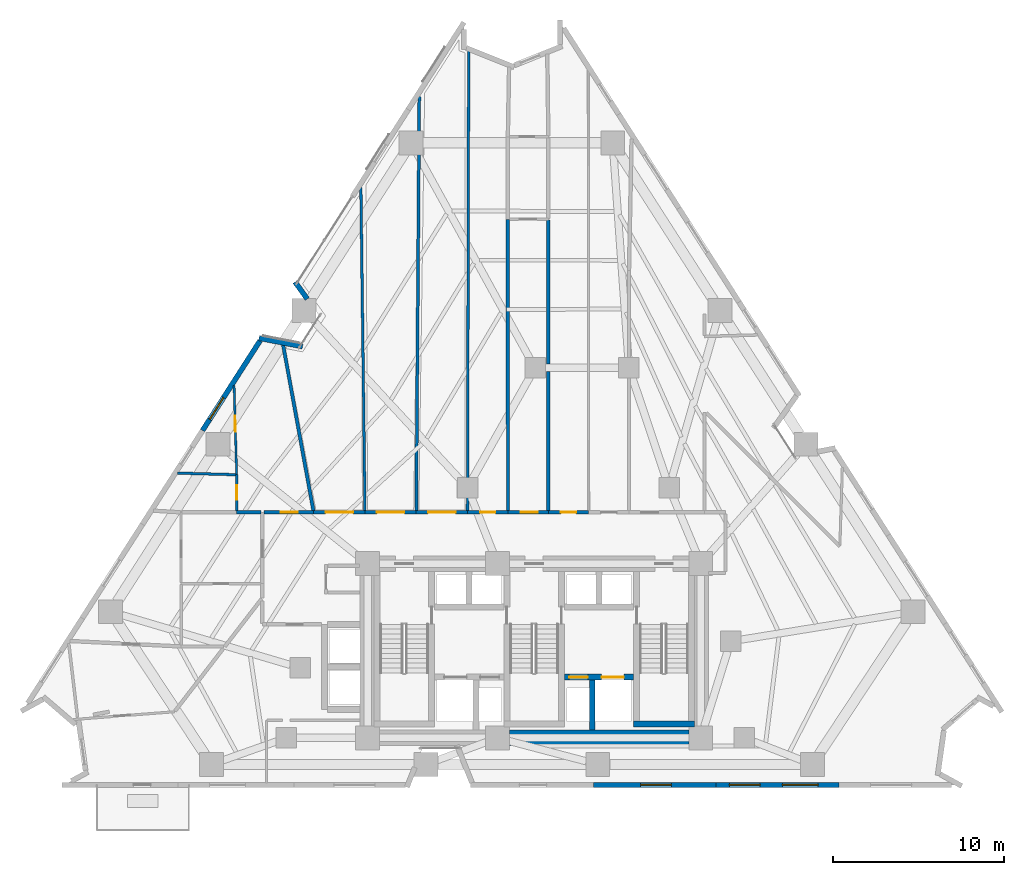
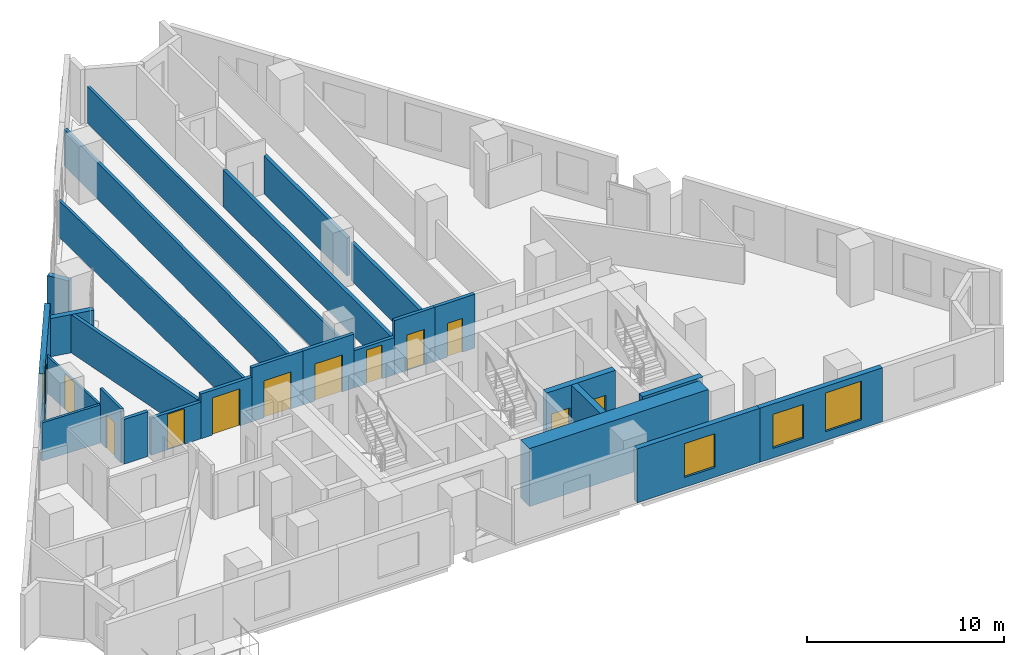
# One storey, part 9 of 15: 27 walls, 11 doors, 4 windows, 15 openings.
"""IFC4 building model written with IfcOpenShell, lengths in metres."""

from ifc_helpers import new_model, si_unit, direction, frame, frame_2d, origin, place, context, subcontext, project, spatial, rectangle, extrude, material, layer, layer_set, type_object, element, fill, save


model = new_model("IFC4")

# Units and contexts
model_context = context("Model", 3, precision=1e-05, world=origin(), true_north=direction((0.0, 1.0)))
body_context = subcontext(model_context, "Body", "Model", "MODEL_VIEW")
ifc_project = project(units=[si_unit("LENGTHUNIT", "METRE"), si_unit("AREAUNIT", "SQUARE_METRE"), si_unit("VOLUMEUNIT", "CUBIC_METRE"), si_unit("PLANEANGLEUNIT", "RADIAN"), si_unit("MASSUNIT", "GRAM", prefix="KILO")], contexts=[model_context])

# Site, building, storey
site_placement = place(None, origin())
site = spatial("IfcSite", under=ifc_project, at=site_placement, CompositionType="ELEMENT")
building_placement = place(site_placement, origin())
building = spatial("IfcBuilding", under=site, at=building_placement, Name="Almagre Mirador Tower", CompositionType="ELEMENT")
storey_placement = place(building_placement, frame((0.0, 0.0, 39.0)))
storey = spatial("IfcBuildingStorey", under=building, at=storey_placement, Name="L08", CompositionType="ELEMENT", Elevation=39.0)

# Walls
ifc_material_1 = material(Name="Precast concrete C50/60", Category="concrete")
ifc_layer_1 = layer(ifc_material_1, 0.300048828125)
ifc_layer_set_1 = layer_set([ifc_layer_1], Name="Precast concrete C50/60")
wall_type_1 = type_object("IfcWallType", Name="WAL-EXT-300", PredefinedType="SOLIDWALL", material=ifc_layer_set_1)
wall_1_placement = place(storey_placement, frame((21.20068359375, 27.946533203125, 0.0), z_axis=(0.0, 0.0, 1.0), x_axis=(0.981746971615, -0.190191702567, 0.0)))
element("IfcWall", 1, at=wall_1_placement, inside=storey, type_object=wall_type_1, Name="L08 expressed almagre precast frame wall 01", PredefinedType="SOLIDWALL", context=body_context, shape_type="SweptSolid", body=[
    extrude(rectangle(XDim=2.593017578125, YDim=0.300048828125, at=frame_2d((1.29638671875, 0.0))), origin(), (0.0, 0.0, 1.0), 2.375),
])
wall_2_placement = place(storey_placement, frame((24.022216796875, 30.235107421875, 0.0), z_axis=(0.0, 0.0, 1.0), x_axis=(-0.583004903736, 0.812468634607, 0.0)))
element("IfcWall", 2, at=wall_2_placement, inside=storey, type_object=wall_type_1, Name="L08 expressed almagre precast frame wall 02", PredefinedType="SOLIDWALL", context=body_context, shape_type="SweptSolid", body=[
    extrude(rectangle(XDim=1.227783203125, YDim=0.300048828125, at=frame_2d((0.61376953125, 0.0))), origin(), (0.0, 0.0, 1.0), 2.375),
])

# Wall, openings, windows
wall_3_placement = place(storey_placement, frame((55.14697265625, 1.800048828125, 0.0), z_axis=(0.0, 0.0, 1.0), x_axis=(-1.0, 0.0, 0.0)))
wall_3 = element("IfcWall", 3, at=wall_3_placement, inside=storey, type_object=wall_type_1, Name="L08 expressed almagre precast frame wall 23", PredefinedType="SOLIDWALL", context=body_context, shape_type="SweptSolid", body=[
    extrude(rectangle(XDim=7.19287109375, YDim=0.300048828125, at=frame_2d((3.596435546875, 0.0))), origin(), (0.0, 0.0, 1.0), 3.35009765625),
])
opening_1_placement = place(wall_3_placement, frame((4.625, 0.0, 0.60009765625)))
opening_1 = element("IfcOpeningElement", 4, at=opening_1_placement, cuts=wall_3, Name="Opening WN-01", PredefinedType="OPENING", context=body_context, shape_type="SweptSolid", body=[
    extrude(rectangle(XDim=1.800048828125, YDim=2.10009765625, at=frame_2d((0.89990234375, 1.050048828125))), frame((0.0, 0.159902, 0.0), z_axis=(0.0, -1.0, 0.0), x_axis=(1.0, 0.0, 0.0)), (0.0, 0.0, 1.0), 0.320049),
])
opening_2_placement = place(wall_3_placement, frame((1.22509765625, 0.0, 0.550048828125)))
opening_2 = element("IfcOpeningElement", 5, at=opening_2_placement, cuts=wall_3, Name="Opening WN-05", PredefinedType="OPENING", context=body_context, shape_type="SweptSolid", body=[
    extrude(rectangle(XDim=2.10009765625, YDim=2.39990234375, at=frame_2d((1.050048828125, 1.199951171875))), frame((0.0, 0.159902, 0.0), z_axis=(0.0, -1.0, 0.0), x_axis=(1.0, 0.0, 0.0)), (0.0, 0.0, 1.0), 0.320049),
])
ifc_material_2 = material(Name="Dark solar-control laminated hurricane glass", Category="glass")
window_type_1 = type_object("IfcWindowType", Name="WIN-1800X2100", PartitioningType="DOUBLE_PANEL_VERTICAL", PredefinedType="WINDOW", material=ifc_material_2)
window_1_placement = place(opening_1_placement, origin())
window_1 = element("IfcWindow", 6, at=window_1_placement, inside=storey, type_object=window_type_1, Name="L08 recessed hurricane window L08-RST-C", OverallHeight=2.10009765625, OverallWidth=1.800048828125, PartitioningType="SINGLE_PANEL", PredefinedType="WINDOW", context=body_context, shape_type="SweptSolid", body=[
    extrude(rectangle(XDim=1.800048828125, YDim=2.10009765625, at=frame_2d((0.89990234375, 1.050048828125))), frame((0.0, 0.030029296875, 0.0), z_axis=(0.0, -1.0, 0.0), x_axis=(1.0, 0.0, 0.0)), (0.0, 0.0, 1.0), 0.06005859375),
])
fill(opening_1, window_1)
ifc_material_3 = material(Name="Dark solar-control laminated hurricane glass", Category="glass")
window_type_2 = type_object("IfcWindowType", Name="WIN-2100X2400", PartitioningType="DOUBLE_PANEL_VERTICAL", PredefinedType="WINDOW", material=ifc_material_3)
window_2_placement = place(opening_2_placement, origin())
window_2 = element("IfcWindow", 7, at=window_2_placement, inside=storey, type_object=window_type_2, Name="L08 recessed hurricane window L08-RST-D", OverallHeight=2.39990234375, OverallWidth=2.10009765625, PartitioningType="SINGLE_PANEL", PredefinedType="WINDOW", context=body_context, shape_type="SweptSolid", body=[
    extrude(rectangle(XDim=2.10009765625, YDim=2.39990234375, at=frame_2d((1.050048828125, 1.199951171875))), frame((0.0, 0.030029296875, 0.0), z_axis=(0.0, -1.0, 0.0), x_axis=(1.0, 0.0, 0.0)), (0.0, 0.0, 1.0), 0.06005859375),
])
fill(opening_2, window_2)

# Wall, opening, window
wall_4_placement = place(storey_placement, frame((47.9541015625, 1.800048828125, 0.0), z_axis=(0.0, 0.0, 1.0), x_axis=(-1.0, 0.0, 0.0)))
wall_4 = element("IfcWall", 8, at=wall_4_placement, inside=storey, type_object=wall_type_1, Name="L08 expressed almagre precast frame wall 24", PredefinedType="SOLIDWALL", context=body_context, shape_type="SweptSolid", body=[
    extrude(rectangle(XDim=7.193115234375, YDim=0.300048828125, at=frame_2d((3.5966796875, 0.0))), origin(), (0.0, 0.0, 1.0), 3.35009765625),
])
opening_3_placement = place(wall_4_placement, frame((2.625, 0.0, 0.60009765625)))
opening_3 = element("IfcOpeningElement", 9, at=opening_3_placement, cuts=wall_4, Name="Opening WN-01", PredefinedType="OPENING", context=body_context, shape_type="SweptSolid", body=[
    extrude(rectangle(XDim=1.800048828125, YDim=2.10009765625, at=frame_2d((0.89990234375, 1.050048828125))), frame((0.0, 0.159902, 0.0), z_axis=(0.0, -1.0, 0.0), x_axis=(1.0, 0.0, 0.0)), (0.0, 0.0, 1.0), 0.320049),
])
window_3_placement = place(opening_3_placement, origin())
window_3 = element("IfcWindow", 10, at=window_3_placement, inside=storey, type_object=window_type_1, Name="L08 recessed hurricane window L08-RST-C", OverallHeight=2.10009765625, OverallWidth=1.800048828125, PartitioningType="SINGLE_PANEL", PredefinedType="WINDOW", context=body_context, shape_type="SweptSolid", body=[
    extrude(rectangle(XDim=1.800048828125, YDim=2.10009765625, at=frame_2d((0.89990234375, 1.050048828125))), frame((0.0, 0.030029296875, 0.0), z_axis=(0.0, -1.0, 0.0), x_axis=(1.0, 0.0, 0.0)), (0.0, 0.0, 1.0), 0.06005859375),
])
fill(opening_3, window_3)

wall_5_placement = place(storey_placement, frame((17.892578125, 22.54345703125, 0.0), z_axis=(0.0, 0.0, 1.0), x_axis=(0.539539053693, 0.841960574813, 0.0)))
wall_5 = element("IfcWall", 11, at=wall_5_placement, inside=storey, type_object=wall_type_1, Name="L08 expressed almagre precast frame wall 38", PredefinedType="SOLIDWALL", context=body_context, shape_type="SweptSolid", body=[
    extrude(rectangle(XDim=6.250732421875, YDim=0.300048828125, at=frame_2d((3.12548828125, 0.0))), origin(), (0.0, 0.0, 1.0), 3.35009765625),
])
opening_4_placement = place(wall_5_placement, frame((0.77490234375, 0.0, 0.60009765625)))
opening_4 = element("IfcOpeningElement", 12, at=opening_4_placement, cuts=wall_5, Name="Opening WN-03", PredefinedType="OPENING", context=body_context, shape_type="SweptSolid", body=[
    extrude(rectangle(XDim=1.5, YDim=2.10009765625, at=frame_2d((0.75, 1.050048828125))), frame((0.0, 0.159902, 0.0), z_axis=(0.0, -1.0, 0.0), x_axis=(1.0, 0.0, 0.0)), (0.0, 0.0, 1.0), 0.320049),
])
ifc_material_4 = material(Name="Dark solar-control laminated hurricane glass", Category="glass")
window_type_3 = type_object("IfcWindowType", Name="WIN-1500X2100", PartitioningType="DOUBLE_PANEL_VERTICAL", PredefinedType="WINDOW", material=ifc_material_4)
window_4_placement = place(opening_4_placement, origin())
window_4 = element("IfcWindow", 13, at=window_4_placement, inside=storey, type_object=window_type_3, Name="L08 recessed hurricane window L08-UG-KT", OverallHeight=2.10009765625, OverallWidth=1.5, PartitioningType="SINGLE_PANEL", PredefinedType="WINDOW", context=body_context, shape_type="SweptSolid", body=[
    extrude(rectangle(XDim=1.5, YDim=2.10009765625, at=frame_2d((0.75, 1.050048828125))), frame((0.0, 0.030029296875, 0.0), z_axis=(0.0, -1.0, 0.0), x_axis=(1.0, 0.0, 0.0)), (0.0, 0.0, 1.0), 0.06005859375),
])
fill(opening_4, window_4)

# Wall, opening, door
ifc_material_5 = material(Name="Gypsum acoustic stud partition", Category="other")
ifc_layer_2 = layer(ifc_material_5, 0.125)
ifc_layer_set_2 = layer_set([ifc_layer_2], Name="Gypsum acoustic stud partition")
wall_type_2 = type_object("IfcWallType", Name="WAL-PRT-125-UTL", PredefinedType="PARTITIONING", material=ifc_layer_set_2)
wall_6_placement = place(storey_placement, frame((19.740966796875, 25.18603515625, 0.0), z_axis=(0.0, 0.0, 1.0), x_axis=(0.028430709053, -0.999595765689, 0.0)))
wall_6 = element("IfcWall", 14, at=wall_6_placement, inside=storey, type_object=wall_type_2, Name="L08 interior partition 042", PredefinedType="PARTITIONING", context=body_context, shape_type="SweptSolid", body=[
    extrude(rectangle(XDim=5.23828125, YDim=0.125, at=frame_2d((2.619140625, 0.0))), origin(), (0.0, 0.0, 1.0), 2.279052734375),
])
opening_5_placement = place(wall_6_placement, frame((1.78369140625, 0.0, 0.0)))
opening_5 = element("IfcOpeningElement", 15, at=opening_5_placement, cuts=wall_6, Name="Opening UD-01", PredefinedType="OPENING", context=body_context, shape_type="SweptSolid", body=[
    extrude(rectangle(XDim=0.949951171875, YDim=2.199951171875, at=frame_2d((0.47509765625, 1.10009765625))), frame((0.0, 0.0725, 0.0), z_axis=(0.0, -1.0, 0.0), x_axis=(1.0, 0.0, 0.0)), (0.0, 0.0, 1.0), 0.145),
])
ifc_material_6 = material(Name="Solid American walnut timber", Category="wood")
door_type_1 = type_object("IfcDoorType", Name="DOR-UNR-950X2200", OperationType="NOTDEFINED", PredefinedType="DOOR", material=ifc_material_6)
door_1_placement = place(opening_5_placement, origin())
door_1 = element("IfcDoor", 16, at=door_1_placement, inside=storey, type_object=door_type_1, Name="DR-0256 L08 interior door L08-UG-ST to L08-UG-KT", OperationType="SINGLE_SWING_LEFT", OverallHeight=2.199951171875, OverallWidth=0.949951171875, PredefinedType="DOOR", context=body_context, shape_type="SweptSolid", body=[
    extrude(rectangle(XDim=0.949951171875, YDim=2.199951171875, at=frame_2d((0.47509765625, 1.10009765625))), frame((0.0, 0.02490234375, 0.0), z_axis=(0.0, -1.0, 0.0), x_axis=(1.0, 0.0, 0.0)), (0.0, 0.0, 1.0), 0.050048828125),
])
fill(opening_5, door_1)

ifc_material_7 = material(Name="Gypsum acoustic stud partition", Category="other")
ifc_layer_3 = layer(ifc_material_7, 0.14990234375)
ifc_layer_set_3 = layer_set([ifc_layer_3], Name="Gypsum acoustic stud partition")
wall_type_3 = type_object("IfcWallType", Name="WAL-PRT-150-STD", PredefinedType="PARTITIONING", material=ifc_layer_set_3)
wall_7_placement = place(storey_placement, frame((19.889892578125, 19.949951171875, 0.0), z_axis=(0.0, 0.0, 1.0), x_axis=(0.0, -1.0, 0.0)))
wall_7 = element("IfcWall", 17, at=wall_7_placement, inside=storey, type_object=wall_type_3, Name="L08 interior partition 043", PredefinedType="PARTITIONING", context=body_context, shape_type="SweptSolid", body=[
    extrude(rectangle(XDim=2.114990234375, YDim=0.14990234375, at=frame_2d((1.0576171875, 0.0))), origin(), (0.0, 0.0, 1.0), 3.35009765625),
])
opening_6_placement = place(wall_7_placement, frame((0.615478515625, 0.0, 0.0)))
opening_6 = element("IfcOpeningElement", 18, at=opening_6_placement, cuts=wall_7, Name="Opening UD-04", PredefinedType="OPENING", context=body_context, shape_type="SweptSolid", body=[
    extrude(rectangle(XDim=0.85009765625, YDim=2.10009765625, at=frame_2d((0.425048828125, 1.050048828125))), frame((0.0, 0.084951, 0.0), z_axis=(0.0, -1.0, 0.0), x_axis=(1.0, 0.0, 0.0)), (0.0, 0.0, 1.0), 0.169902),
])
ifc_material_8 = material(Name="Moisture-resistant oak timber", Category="wood")
door_type_2 = type_object("IfcDoorType", Name="DOR-UNR-850X2100", OperationType="NOTDEFINED", PredefinedType="DOOR", material=ifc_material_8)
door_2_placement = place(opening_6_placement, origin())
door_2 = element("IfcDoor", 19, at=door_2_placement, inside=storey, type_object=door_type_2, Name="DR-0257 L08 interior door L08-UG-ST to L08-UG-BT", OperationType="SINGLE_SWING_RIGHT", OverallHeight=2.10009765625, OverallWidth=0.85009765625, PredefinedType="DOOR", context=body_context, shape_type="SweptSolid", body=[
    extrude(rectangle(XDim=0.85009765625, YDim=2.10009765625, at=frame_2d((0.425048828125, 1.050048828125))), frame((0.0, 0.02490234375, 0.0), z_axis=(0.0, -1.0, 0.0), x_axis=(1.0, 0.0, 0.0)), (0.0, 0.0, 1.0), 0.050048828125),
])
fill(opening_6, door_2)

# Walls
wall_8_placement = place(storey_placement, frame((16.43310546875, 20.0458984375, 0.0), z_axis=(0.0, 0.0, 1.0), x_axis=(0.999614255068, -0.027773027638, 0.0)))
element("IfcWall", 20, at=wall_8_placement, inside=storey, type_object=wall_type_3, Name="L08 interior partition 045", PredefinedType="PARTITIONING", context=body_context, shape_type="SweptSolid", body=[
    extrude(rectangle(XDim=3.41064453125, YDim=0.14990234375, at=frame_2d((1.705322265625, 0.0))), origin(), (0.0, 0.0, 1.0), 2.3701171875),
])
wall_9_placement = place(storey_placement, frame((27.399169921875, 17.8349609375, 0.0), z_axis=(0.0, 0.0, 1.0), x_axis=(-0.012641377926, 0.99992009459, 0.0)))
element("IfcWall", 21, at=wall_9_placement, inside=storey, type_object=wall_type_3, Name="L08 interior partition 046", PredefinedType="PARTITIONING", context=body_context, shape_type="SweptSolid", body=[
    extrude(rectangle(XDim=18.926513671875, YDim=0.14990234375, at=frame_2d((9.46337890625, 0.0))), origin(), (0.0, 0.0, 1.0), 2.279052734375),
])
wall_10_placement = place(storey_placement, frame((33.400146484375, 17.8349609375, 0.0), z_axis=(0.0, 0.0, 1.0), x_axis=(0.002519340237, 0.999996826457, 0.0)))
element("IfcWall", 22, at=wall_10_placement, inside=storey, type_object=wall_type_3, Name="L08 interior partition 052", PredefinedType="PARTITIONING", context=body_context, shape_type="SweptSolid", body=[
    extrude(rectangle(XDim=26.93994140625, YDim=0.14990234375, at=frame_2d((13.469970703125, 0.0))), origin(), (0.0, 0.0, 1.0), 2.279052734375),
])
ifc_material_9 = material(Name="Gypsum acoustic stud partition", Category="other")
ifc_layer_4 = layer(ifc_material_9, 0.175048828125)
ifc_layer_set_4 = layer_set([ifc_layer_4], Name="Gypsum acoustic stud partition")
wall_type_4 = type_object("IfcWallType", Name="WAL-PRT-175-AC", PredefinedType="PARTITIONING", material=ifc_layer_set_4)
wall_11_placement = place(storey_placement, frame((30.400634765625, 17.8349609375, 0.0), z_axis=(0.0, 0.0, 1.0), x_axis=(0.007313118493, 0.999973258791, 0.0)))
element("IfcWall", 23, at=wall_11_placement, inside=storey, type_object=wall_type_4, Name="L08 interior partition 051", PredefinedType="PARTITIONING", context=body_context, shape_type="SweptSolid", body=[
    extrude(rectangle(XDim=24.23681640625, YDim=0.175048828125, at=frame_2d((12.118408203125, 0.0))), origin(), (0.0, 0.0, 1.0), 2.279052734375),
])

# Wall, opening, door
ifc_material_10 = material(Name="Gypsum acoustic stud partition", Category="other")
ifc_layer_5 = layer(ifc_material_10, 0.199951171875)
ifc_layer_set_5 = layer_set([ifc_layer_5], Name="Gypsum acoustic stud partition")
wall_type_5 = type_object("IfcWallType", Name="WAL-PRT-200-EI60", PredefinedType="PARTITIONING", material=ifc_layer_set_5)
wall_12_placement = place(storey_placement, frame((24.39990234375, 17.75, 0.0), z_axis=(0.0, 0.0, 1.0), x_axis=(-1.0, 0.0, 0.0)))
wall_12 = element("IfcWall", 24, at=wall_12_placement, inside=storey, type_object=wall_type_5, Name="L08 interior partition 011", PredefinedType="PARTITIONING", context=body_context, shape_type="SweptSolid", body=[
    extrude(rectangle(XDim=2.914794921875, YDim=0.199951171875, at=frame_2d((1.45751953125, 0.0))), origin(), (0.0, 0.0, 1.0), 2.279052734375),
])
opening_7_placement = place(wall_12_placement, frame((0.942626953125, 0.0, 0.0)))
opening_7 = element("IfcOpeningElement", 25, at=opening_7_placement, cuts=wall_12, Name="Opening ID-01", PredefinedType="OPENING", context=body_context, shape_type="SweptSolid", body=[
    extrude(rectangle(XDim=1.0, YDim=2.199951171875, at=frame_2d((0.5, 1.10009765625))), frame((0.0, 0.110098, 0.0), z_axis=(0.0, -1.0, 0.0), x_axis=(1.0, 0.0, 0.0)), (0.0, 0.0, 1.0), 0.219951),
])
ifc_material_11 = material(Name="Fire-rated walnut timber", Category="wood")
door_type_3 = type_object("IfcDoorType", Name="DOR-FD60-1000X2200", OperationType="NOTDEFINED", PredefinedType="DOOR", material=ifc_material_11)
door_3_placement = place(opening_7_placement, origin())
door_3 = element("IfcDoor", 26, at=door_3_placement, inside=storey, type_object=door_type_3, Name="DR-0255 L08 interior door L08-RCOR to L08-UG-ST", OperationType="SINGLE_SWING_RIGHT", OverallHeight=2.199951171875, OverallWidth=1.0, PredefinedType="DOOR", context=body_context, shape_type="SweptSolid", body=[
    extrude(rectangle(XDim=1.0, YDim=2.199951171875, at=frame_2d((0.5, 1.10009765625))), frame((0.0, 0.02490234375, 0.0), z_axis=(0.0, -1.0, 0.0), x_axis=(1.0, 0.0, 0.0)), (0.0, 0.0, 1.0), 0.050048828125),
])
fill(opening_7, door_3)

wall_13_placement = place(storey_placement, frame((27.39990234375, 17.75, 0.0), z_axis=(0.0, 0.0, 1.0), x_axis=(-1.0, 0.0, 0.0)))
wall_13 = element("IfcWall", 27, at=wall_13_placement, inside=storey, type_object=wall_type_5, Name="L08 interior partition 012", PredefinedType="PARTITIONING", context=body_context, shape_type="SweptSolid", body=[
    extrude(rectangle(XDim=3.0, YDim=0.199951171875, at=frame_2d((1.5, 0.0))), origin(), (0.0, 0.0, 1.0), 2.77099609375),
])
opening_8_placement = place(wall_13_placement, frame((0.699951171875, 0.0, 0.0)))
opening_8 = element("IfcOpeningElement", 28, at=opening_8_placement, cuts=wall_13, Name="Opening ID-05", PredefinedType="OPENING", context=body_context, shape_type="SweptSolid", body=[
    extrude(rectangle(XDim=1.60009765625, YDim=2.300048828125, at=frame_2d((0.800048828125, 1.14990234375))), frame((0.0, 0.110098, 0.0), z_axis=(0.0, -1.0, 0.0), x_axis=(1.0, 0.0, 0.0)), (0.0, 0.0, 1.0), 0.219951),
])
ifc_material_12 = material(Name="Fire-rated acoustic timber", Category="wood")
door_type_4 = type_object("IfcDoorType", Name="DOR-FD60-1600X2300", OperationType="DOUBLE_DOOR_SINGLE_SWING", PredefinedType="DOOR", material=ifc_material_12)
door_4_placement = place(opening_8_placement, origin())
door_4 = element("IfcDoor", 29, at=door_4_placement, inside=storey, type_object=door_type_4, Name="DR-0245 L08 interior door L08-RCOR to L08-RST-H", OperationType="DOUBLE_DOOR_SINGLE_SWING", OverallHeight=2.300048828125, OverallWidth=1.60009765625, PredefinedType="DOOR", context=body_context, shape_type="SweptSolid", body=[
    extrude(rectangle(XDim=1.60009765625, YDim=2.300048828125, at=frame_2d((0.800048828125, 1.14990234375))), frame((0.0, 0.02490234375, 0.0), z_axis=(0.0, -1.0, 0.0), x_axis=(1.0, 0.0, 0.0)), (0.0, 0.0, 1.0), 0.050048828125),
])
fill(opening_8, door_4)

wall_14_placement = place(storey_placement, frame((30.39990234375, 17.75, 0.0), z_axis=(0.0, 0.0, 1.0), x_axis=(-1.0, 0.0, 0.0)))
wall_14 = element("IfcWall", 30, at=wall_14_placement, inside=storey, type_object=wall_type_5, Name="L08 interior partition 013", PredefinedType="PARTITIONING", context=body_context, shape_type="SweptSolid", body=[
    extrude(rectangle(XDim=3.0, YDim=0.199951171875, at=frame_2d((1.5, 0.0))), origin(), (0.0, 0.0, 1.0), 3.35009765625),
])
opening_9_placement = place(wall_14_placement, frame((0.699951171875, 0.0, 0.0)))
opening_9 = element("IfcOpeningElement", 31, at=opening_9_placement, cuts=wall_14, Name="Opening ID-05", PredefinedType="OPENING", context=body_context, shape_type="SweptSolid", body=[
    extrude(rectangle(XDim=1.60009765625, YDim=2.300048828125, at=frame_2d((0.800048828125, 1.14990234375))), frame((0.0, 0.110098, 0.0), z_axis=(0.0, -1.0, 0.0), x_axis=(1.0, 0.0, 0.0)), (0.0, 0.0, 1.0), 0.219951),
])
door_5_placement = place(opening_9_placement, origin())
door_5 = element("IfcDoor", 32, at=door_5_placement, inside=storey, type_object=door_type_4, Name="DR-0246 L08 interior door L08-RCOR to L08-RST-K", OperationType="DOUBLE_DOOR_SINGLE_SWING", OverallHeight=2.300048828125, OverallWidth=1.60009765625, PredefinedType="DOOR", context=body_context, shape_type="SweptSolid", body=[
    extrude(rectangle(XDim=1.60009765625, YDim=2.300048828125, at=frame_2d((0.800048828125, 1.14990234375))), frame((0.0, 0.02490234375, 0.0), z_axis=(0.0, -1.0, 0.0), x_axis=(1.0, 0.0, 0.0)), (0.0, 0.0, 1.0), 0.050048828125),
])
fill(opening_9, door_5)

wall_15_placement = place(storey_placement, frame((33.39990234375, 17.75, 0.0), z_axis=(0.0, 0.0, 1.0), x_axis=(-1.0, 0.0, 0.0)))
wall_15 = element("IfcWall", 33, at=wall_15_placement, inside=storey, type_object=wall_type_5, Name="L08 interior partition 014", PredefinedType="PARTITIONING", context=body_context, shape_type="SweptSolid", body=[
    extrude(rectangle(XDim=3.0, YDim=0.199951171875, at=frame_2d((1.5, 0.0))), origin(), (0.0, 0.0, 1.0), 3.35009765625),
])
opening_10_placement = place(wall_15_placement, frame((0.699951171875, 0.0, 0.0)))
opening_10 = element("IfcOpeningElement", 34, at=opening_10_placement, cuts=wall_15, Name="Opening ID-05", PredefinedType="OPENING", context=body_context, shape_type="SweptSolid", body=[
    extrude(rectangle(XDim=1.60009765625, YDim=2.300048828125, at=frame_2d((0.800048828125, 1.14990234375))), frame((0.0, 0.110098, 0.0), z_axis=(0.0, -1.0, 0.0), x_axis=(1.0, 0.0, 0.0)), (0.0, 0.0, 1.0), 0.219951),
])
door_6_placement = place(opening_10_placement, origin())
door_6 = element("IfcDoor", 35, at=door_6_placement, inside=storey, type_object=door_type_4, Name="DR-0247 L08 interior door L08-RCOR to L08-RST-L", OperationType="DOUBLE_DOOR_SINGLE_SWING", OverallHeight=2.300048828125, OverallWidth=1.60009765625, PredefinedType="DOOR", context=body_context, shape_type="SweptSolid", body=[
    extrude(rectangle(XDim=1.60009765625, YDim=2.300048828125, at=frame_2d((0.800048828125, 1.14990234375))), frame((0.0, 0.02490234375, 0.0), z_axis=(0.0, -1.0, 0.0), x_axis=(1.0, 0.0, 0.0)), (0.0, 0.0, 1.0), 0.050048828125),
])
fill(opening_10, door_6)

wall_16_placement = place(storey_placement, frame((35.77001953125, 17.75, 0.0), z_axis=(0.0, 0.0, 1.0), x_axis=(-1.0, 0.0, 0.0)))
wall_16 = element("IfcWall", 36, at=wall_16_placement, inside=storey, type_object=wall_type_5, Name="L08 interior partition 015", PredefinedType="PARTITIONING", context=body_context, shape_type="SweptSolid", body=[
    extrude(rectangle(XDim=2.3701171875, YDim=0.199951171875, at=frame_2d((1.18505859375, 0.0))), origin(), (0.0, 0.0, 1.0), 2.30908203125),
])
opening_11_placement = place(wall_16_placement, frame((0.735107421875, 0.0, 0.0)))
opening_11 = element("IfcOpeningElement", 37, at=opening_11_placement, cuts=wall_16, Name="Opening ID-03", PredefinedType="OPENING", context=body_context, shape_type="SweptSolid", body=[
    extrude(rectangle(XDim=0.89990234375, YDim=2.10009765625, at=frame_2d((0.449951171875, 1.050048828125))), frame((0.0, 0.110098, 0.0), z_axis=(0.0, -1.0, 0.0), x_axis=(1.0, 0.0, 0.0)), (0.0, 0.0, 1.0), 0.219951),
])
ifc_material_13 = material(Name="Fire-rated hollow steel", Category="steel")
door_type_5 = type_object("IfcDoorType", Name="DOR-FD60-900X2100", OperationType="NOTDEFINED", PredefinedType="DOOR", material=ifc_material_13)
door_7_placement = place(opening_11_placement, origin())
door_7 = element("IfcDoor", 38, at=door_7_placement, inside=storey, type_object=door_type_5, Name="DR-0248 L08 interior door L08-RCOR to L08-RST-M", OperationType="SINGLE_SWING_RIGHT", OverallHeight=2.10009765625, OverallWidth=0.89990234375, PredefinedType="DOOR", context=body_context, shape_type="SweptSolid", body=[
    extrude(rectangle(XDim=0.89990234375, YDim=2.10009765625, at=frame_2d((0.449951171875, 1.050048828125))), frame((0.0, 0.02490234375, 0.0), z_axis=(0.0, -1.0, 0.0), x_axis=(1.0, 0.0, 0.0)), (0.0, 0.0, 1.0), 0.050048828125),
])
fill(opening_11, door_7)

wall_17_placement = place(storey_placement, frame((38.1298828125, 17.75, 0.0), z_axis=(0.0, 0.0, 1.0), x_axis=(-1.0, 0.0, 0.0)))
wall_17 = element("IfcWall", 39, at=wall_17_placement, inside=storey, type_object=wall_type_5, Name="L08 interior partition 016", PredefinedType="PARTITIONING", context=body_context, shape_type="SweptSolid", body=[
    extrude(rectangle(XDim=2.35986328125, YDim=0.199951171875, at=frame_2d((1.179931640625, 0.0))), origin(), (0.0, 0.0, 1.0), 3.35009765625),
])
opening_12_placement = place(wall_17_placement, frame((0.6201171875, 0.0, 0.0)))
opening_12 = element("IfcOpeningElement", 40, at=opening_12_placement, cuts=wall_17, Name="Opening ID-01", PredefinedType="OPENING", context=body_context, shape_type="SweptSolid", body=[
    extrude(rectangle(XDim=1.0, YDim=2.199951171875, at=frame_2d((0.5, 1.10009765625))), frame((0.0, 0.110098, 0.0), z_axis=(0.0, -1.0, 0.0), x_axis=(1.0, 0.0, 0.0)), (0.0, 0.0, 1.0), 0.219951),
])
door_8_placement = place(opening_12_placement, origin())
door_8 = element("IfcDoor", 41, at=door_8_placement, inside=storey, type_object=door_type_3, Name="DR-0258 L08 interior door L08-RCOR to L08-UN-ST", OperationType="SINGLE_SWING_LEFT", OverallHeight=2.199951171875, OverallWidth=1.0, PredefinedType="DOOR", context=body_context, shape_type="SweptSolid", body=[
    extrude(rectangle(XDim=1.0, YDim=2.199951171875, at=frame_2d((0.5, 1.10009765625))), frame((0.0, 0.02490234375, 0.0), z_axis=(0.0, -1.0, 0.0), x_axis=(1.0, 0.0, 0.0)), (0.0, 0.0, 1.0), 0.050048828125),
])
fill(opening_12, door_8)

wall_18_placement = place(storey_placement, frame((40.489990234375, 17.75, 0.0), z_axis=(0.0, 0.0, 1.0), x_axis=(-1.0, 0.0, 0.0)))
wall_18 = element("IfcWall", 42, at=wall_18_placement, inside=storey, type_object=wall_type_5, Name="L08 interior partition 017", PredefinedType="PARTITIONING", context=body_context, shape_type="SweptSolid", body=[
    extrude(rectangle(XDim=2.360107421875, YDim=0.199951171875, at=frame_2d((1.18017578125, 0.0))), origin(), (0.0, 0.0, 1.0), 3.35009765625),
])
opening_13_placement = place(wall_18_placement, frame((0.72998046875, 0.0, 0.0)))
opening_13 = element("IfcOpeningElement", 43, at=opening_13_placement, cuts=wall_18, Name="Opening ID-03", PredefinedType="OPENING", context=body_context, shape_type="SweptSolid", body=[
    extrude(rectangle(XDim=0.89990234375, YDim=2.10009765625, at=frame_2d((0.449951171875, 1.050048828125))), frame((0.0, 0.110098, 0.0), z_axis=(0.0, -1.0, 0.0), x_axis=(1.0, 0.0, 0.0)), (0.0, 0.0, 1.0), 0.219951),
])
door_9_placement = place(opening_13_placement, origin())
door_9 = element("IfcDoor", 44, at=door_9_placement, inside=storey, type_object=door_type_5, Name="DR-0249 L08 interior door L08-RCOR to L08-RST-P", OperationType="SINGLE_SWING_LEFT", OverallHeight=2.10009765625, OverallWidth=0.89990234375, PredefinedType="DOOR", context=body_context, shape_type="SweptSolid", body=[
    extrude(rectangle(XDim=0.89990234375, YDim=2.10009765625, at=frame_2d((0.449951171875, 1.050048828125))), frame((0.0, 0.02490234375, 0.0), z_axis=(0.0, -1.0, 0.0), x_axis=(1.0, 0.0, 0.0)), (0.0, 0.0, 1.0), 0.050048828125),
])
fill(opening_13, door_9)

# Walls
wall_19_placement = place(storey_placement, frame((21.31494140625, 17.75, 0.0), z_axis=(0.0, 0.0, 1.0), x_axis=(-1.0, 0.0, 0.0)))
element("IfcWall", 45, at=wall_19_placement, inside=storey, type_object=wall_type_5, Name="L08 interior partition 035", PredefinedType="PARTITIONING", context=body_context, shape_type="SweptSolid", body=[
    extrude(rectangle(XDim=1.425048828125, YDim=0.199951171875, at=frame_2d((0.71240234375, 0.0))), origin(), (0.0, 0.0, 1.0), 2.77099609375),
])
wall_20_placement = place(storey_placement, frame((24.384765625, 17.83349609375, 0.0), z_axis=(0.0, 0.0, 1.0), x_axis=(-0.179680097859, 0.98372509495, 0.0)))
element("IfcWall", 46, at=wall_20_placement, inside=storey, type_object=wall_type_5, Name="L08 interior partition 044", PredefinedType="PARTITIONING", context=body_context, shape_type="SweptSolid", body=[
    extrude(rectangle(XDim=9.89453125, YDim=0.199951171875, at=frame_2d((4.947265625, 0.0))), origin(), (0.0, 0.0, 1.0), 2.3701171875),
])
wall_21_placement = place(storey_placement, frame((35.77001953125, 17.8349609375, 0.0), z_axis=(0.0, 0.0, 1.0), x_axis=(-0.0005865689, 0.999999827968, 0.0)))
element("IfcWall", 47, at=wall_21_placement, inside=storey, type_object=wall_type_5, Name="L08 interior partition 053", PredefinedType="PARTITIONING", context=body_context, shape_type="SweptSolid", body=[
    extrude(rectangle(XDim=17.06494140625, YDim=0.199951171875, at=frame_2d((8.532470703125, 0.0))), origin(), (0.0, 0.0, 1.0), 2.279052734375),
])
wall_22_placement = place(storey_placement, frame((38.1298828125, 17.8349609375, 0.0), z_axis=(0.0, 0.0, 1.0), x_axis=(0.0, 1.0, 0.0)))
element("IfcWall", 48, at=wall_22_placement, inside=storey, type_object=wall_type_5, Name="L08 interior partition 057", PredefinedType="PARTITIONING", context=body_context, shape_type="SweptSolid", body=[
    extrude(rectangle(XDim=8.14501953125, YDim=0.199951171875, at=frame_2d((4.072509765625, 0.0))), origin(), (0.0, 0.0, 1.0), 2.3701171875),
])
wall_23_placement = place(storey_placement, frame((38.1298828125, 26.419921875, 0.0), z_axis=(0.0, 0.0, 1.0), x_axis=(0.0, 1.0, 0.0)))
element("IfcWall", 49, at=wall_23_placement, inside=storey, type_object=wall_type_5, Name="L08 interior partition 058", PredefinedType="PARTITIONING", context=body_context, shape_type="SweptSolid", body=[
    extrude(rectangle(XDim=8.4326171875, YDim=0.199951171875, at=frame_2d((4.21630859375, 0.0))), origin(), (0.0, 0.0, 1.0), 2.3701171875),
])
ifc_material_14 = material(Name="Concrete C60/75", Category="concrete")
ifc_layer_6 = layer(ifc_material_14, 0.35009765625)
ifc_layer_set_6 = layer_set([ifc_layer_6], Name="Concrete C60/75")
wall_type_6 = type_object("IfcWallType", Name="WAL-SHF-350", PredefinedType="SOLIDWALL", material=ifc_layer_set_6)
wall_24_placement = place(storey_placement, frame((43.125, 5.375, 0.0), z_axis=(0.0, 0.0, 1.0), x_axis=(1.0, 0.0, 0.0)))
element("IfcWall", 50, at=wall_24_placement, inside=storey, type_object=wall_type_6, Name="L08 shaft wall ST3-S", PredefinedType="SOLIDWALL", context=body_context, shape_type="SweptSolid", body=[
    extrude(rectangle(XDim=3.550048828125, YDim=0.35009765625, at=frame_2d((1.77490234375, 0.0))), origin(), (0.0, 0.0, 1.0), 3.60009765625),
])

# Wall, openings, doors
wall_25_placement = place(storey_placement, frame((39.074951171875, 8.10009765625, 0.0), z_axis=(0.0, 0.0, 1.0), x_axis=(1.0, 0.0, 0.0)))
wall_25 = element("IfcWall", 51, at=wall_25_placement, inside=storey, type_object=wall_type_6, Name="L08 shaft wall FSAE2-N", PredefinedType="SOLIDWALL", context=body_context, shape_type="SweptSolid", body=[
    extrude(rectangle(XDim=4.050048828125, YDim=0.35009765625, at=frame_2d((2.02490234375, 0.0))), origin(), (0.0, 0.0, 1.0), 3.60009765625),
])
opening_14_placement = place(wall_25_placement, frame((2.175048828125, 0.0, 0.0)))
opening_14 = element("IfcOpeningElement", 52, at=opening_14_placement, cuts=wall_25, Name="Opening LD-03", PredefinedType="OPENING", context=body_context, shape_type="SweptSolid", body=[
    extrude(rectangle(XDim=1.300048828125, YDim=2.25, at=frame_2d((0.64990234375, 1.125))), frame((0.0, 0.185049, 0.0), z_axis=(0.0, -1.0, 0.0), x_axis=(1.0, 0.0, 0.0)), (0.0, 0.0, 1.0), 0.370098),
])
opening_15_placement = place(wall_25_placement, frame((0.27490234375, 0.0, 0.0)))
opening_15 = element("IfcOpeningElement", 53, at=opening_15_placement, cuts=wall_25, Name="Opening LD-01", PredefinedType="OPENING", context=body_context, shape_type="SweptSolid", body=[
    extrude(rectangle(XDim=1.10009765625, YDim=2.199951171875, at=frame_2d((0.550048828125, 1.10009765625))), frame((0.0, 0.185049, 0.0), z_axis=(0.0, -1.0, 0.0), x_axis=(1.0, 0.0, 0.0)), (0.0, 0.0, 1.0), 0.370098),
])
ifc_material_15 = material(Name="Hollow stainless steel", Category="steel")
door_type_6 = type_object("IfcDoorType", Name="DOR-LD-1100X2200", OperationType="DOUBLE_DOOR_SLIDING", PredefinedType="DOOR", material=ifc_material_15)
door_10_placement = place(opening_15_placement, origin())
door_10 = element("IfcDoor", 54, at=door_10_placement, inside=storey, type_object=door_type_6, Name="DR-0266 L08 PL-L2 lift landing door", OperationType="DOUBLE_DOOR_SLIDING", OverallHeight=2.199951171875, OverallWidth=1.10009765625, PredefinedType="DOOR", context=body_context, shape_type="SweptSolid", body=[
    extrude(rectangle(XDim=1.10009765625, YDim=2.199951171875, at=frame_2d((0.550048828125, 1.10009765625))), frame((0.0, 0.02490234375, 0.0), z_axis=(0.0, -1.0, 0.0), x_axis=(1.0, 0.0, 0.0)), (0.0, 0.0, 1.0), 0.050048828125),
])
fill(opening_15, door_10)
ifc_material_16 = material(Name="Hollow stainless steel", Category="steel")
door_type_7 = type_object("IfcDoorType", Name="DOR-LD-1300X2250", OperationType="DOUBLE_DOOR_SLIDING", PredefinedType="DOOR", material=ifc_material_16)
door_11_placement = place(opening_14_placement, origin())
door_11 = element("IfcDoor", 55, at=door_11_placement, inside=storey, type_object=door_type_7, Name="DR-0264 L08 FSAE-2 lift landing door", OperationType="DOUBLE_DOOR_SLIDING", OverallHeight=2.25, OverallWidth=1.300048828125, PredefinedType="DOOR", context=body_context, shape_type="SweptSolid", body=[
    extrude(rectangle(XDim=1.300048828125, YDim=2.25, at=frame_2d((0.64990234375, 1.125))), frame((0.0, 0.02490234375, 0.0), z_axis=(0.0, -1.0, 0.0), x_axis=(1.0, 0.0, 0.0)), (0.0, 0.0, 1.0), 0.050048828125),
])
fill(opening_14, door_11)

# Walls
wall_26_placement = place(storey_placement, frame((40.699951171875, 5.0, 0.0), z_axis=(0.0, 0.0, 1.0), x_axis=(0.0, 1.0, 0.0)))
element("IfcWall", 56, at=wall_26_placement, inside=storey, type_object=wall_type_6, Name="L08 shaft wall FSAE2-W", PredefinedType="SOLIDWALL", context=body_context, shape_type="SweptSolid", body=[
    extrude(rectangle(XDim=2.925048828125, YDim=0.35009765625, at=frame_2d((1.46240234375, 0.0))), origin(), (0.0, 0.0, 1.0), 3.60009765625),
])
ifc_material_17 = material(Name="Concrete C70/85", Category="concrete")
ifc_layer_7 = layer(ifc_material_17, 0.89990234375)
ifc_layer_set_7 = layer_set([ifc_layer_7], Name="Concrete C70/85")
wall_type_7 = type_object("IfcWallType", Name="WAL-SHR-900", PredefinedType="SHEAR", material=ifc_layer_set_7)
wall_27_placement = place(storey_placement, frame((35.85009765625, 4.550048828125, 0.0), z_axis=(0.0, 0.0, 1.0), x_axis=(1.0, 0.0, 0.0)))
element("IfcWall", 57, at=wall_27_placement, inside=storey, type_object=wall_type_7, Name="L08 core shear wall S2", PredefinedType="SHEAR", context=body_context, shape_type="SweptSolid", body=[
    extrude(rectangle(XDim=10.5, YDim=0.89990234375, at=frame_2d((5.25, 0.0))), origin(), (0.0, 0.0, 1.0), 3.60009765625),
])

save(model, "model.ifc")
